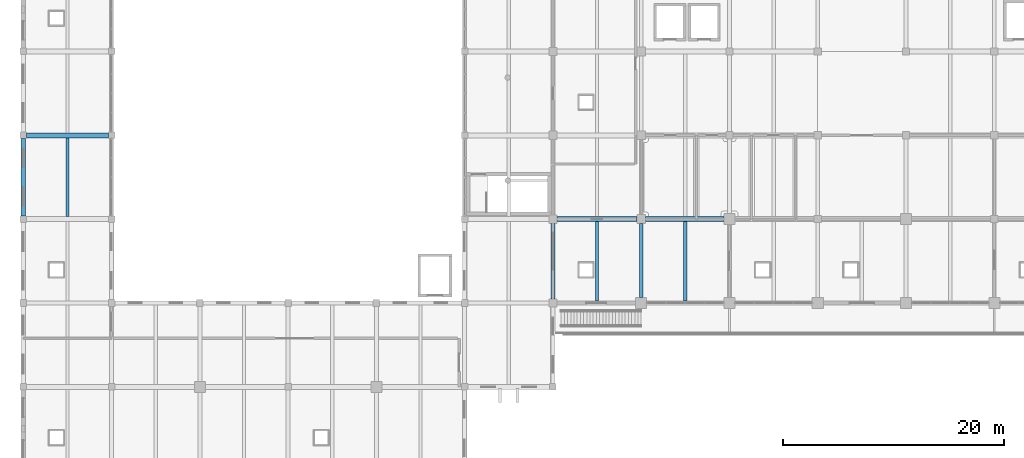
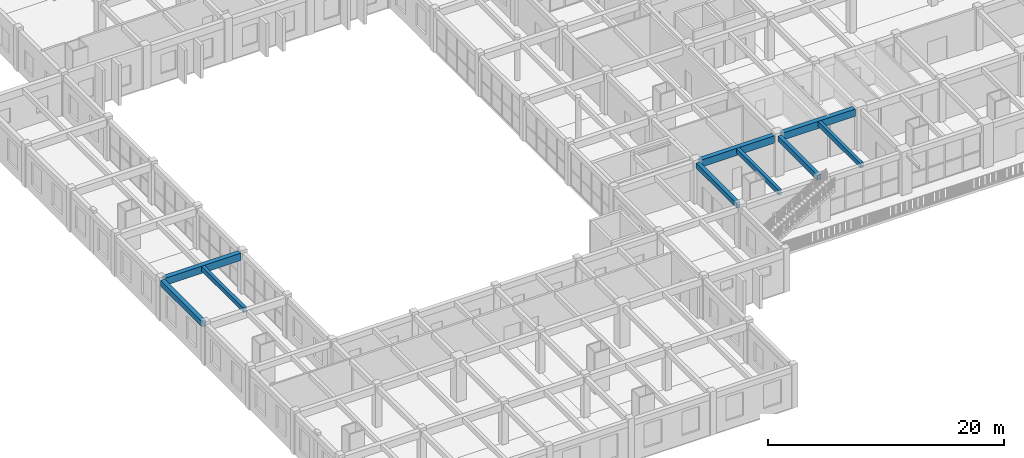
# One storey, part 9 of 79: 9 beams.
"""IFC4 building model written with IfcOpenShell, lengths in metres."""

from ifc_helpers import new_model, si_unit, direction, frame, origin, origin_2d, place, context, subcontext, project, spatial, rectangle, extrude, material, material_profile, profile_set, type_object, element, save


model = new_model("IFC4")

# Units and contexts
model_context = context("Model", 3, precision=1e-05, world=origin(), true_north=direction((0.0, 1.0)))
body_context = subcontext(model_context, "Body", "Model", "MODEL_VIEW")
ifc_project = project(units=[si_unit("LENGTHUNIT", "METRE"), si_unit("AREAUNIT", "SQUARE_METRE"), si_unit("VOLUMEUNIT", "CUBIC_METRE"), si_unit("PLANEANGLEUNIT", "RADIAN"), si_unit("MASSUNIT", "GRAM", prefix="KILO")], contexts=[model_context])

# Site, building, storey
site_placement = place(None, origin())
site = spatial("IfcSite", under=ifc_project, at=site_placement, CompositionType="ELEMENT")
building_placement = place(site_placement, origin())
building = spatial("IfcBuilding", under=site, at=building_placement, Name="Zantavel Square City Hall", CompositionType="ELEMENT")
storey_placement = place(building_placement, frame((0.0, 0.0, 10.199951171875)))
storey = spatial("IfcBuildingStorey", under=building, at=storey_placement, Name="L03", CompositionType="ELEMENT", Elevation=10.199951171875)

# Beams
ifc_material = material(Name="Concrete C35/45", Category="concrete")
ifc_material_profile_1 = material_profile(ifc_material, rectangle(XDim=0.300048828125, YDim=0.5, at=origin_2d()), Name="RC 300x500")
ifc_profile_set_1 = profile_set([ifc_material_profile_1], Name="Concrete C35/45")
beam_type_1 = type_object("IfcBeamType", Name="Floor Joist RC 300x500 C35/45", PredefinedType="JOIST", material=ifc_profile_set_1)
beam_1_placement = place(storey_placement, frame((12.0, 38.22509765625, 3.969970703125), z_axis=(0.0, 1.0, 0.0), x_axis=(-1.0, 0.0, 0.0)))
element("IfcBeam", 1, at=beam_1_placement, inside=storey, type_object=beam_type_1, Name="L03 Floor Joist JST-L03-0120-0380", PredefinedType="JOIST", context=body_context, shape_type="SweptSolid", body=[
    extrude(rectangle(XDim=0.300048828125, YDim=0.5, at=origin_2d()), origin(), (0.0, 0.0, 1.0), 7.14990234375),
])
for number, where, z_axis, x_axis, name in (
    (2, (60.0, 30.60009765625, 3.969970703125), (0.0, 1.0, 0.0), (-1.0, 0.0, 0.0), "L03 Floor Joist JST-L03-0600-0304"),
    (3, (68.0, 30.60009765625, 3.969970703125), (0.0, 1.0, 0.0), (-1.0, 0.0, 0.0), "L03 Floor Joist JST-L03-0680-0304"),
):
    element("IfcBeam", number, at=place(storey_placement, frame(where, z_axis=z_axis, x_axis=x_axis)), inside=storey, type_object=beam_type_1, Name=name, PredefinedType="JOIST", context=body_context, shape_type="SweptSolid", body=[
        extrude(rectangle(XDim=0.300048828125, YDim=0.5, at=origin_2d()), origin(), (0.0, 0.0, 1.0), 7.1748046875),
    ])
ifc_material_profile_2 = material_profile(ifc_material, rectangle(XDim=0.39990234375, YDim=0.60009765625, at=origin_2d()), Name="RC 400x600")
ifc_profile_set_2 = profile_set([ifc_material_profile_2], Name="Concrete C35/45")
beam_type_2 = type_object("IfcBeamType", Name="Perimeter Spandrel RC 400x600 C35/45", PredefinedType="SPANDREL", material=ifc_profile_set_2)
beam_2_placement = place(storey_placement, frame((8.0, 38.300048828125, 3.920166015625), z_axis=(0.0, 1.0, 0.0), x_axis=(-1.0, 0.0, 0.0)))
element("IfcBeam", 4, at=beam_2_placement, inside=storey, type_object=beam_type_2, Name="L03 Beam BMY-L03-0080-0380", PredefinedType="SPANDREL", context=body_context, shape_type="SweptSolid", body=[
    extrude(rectangle(XDim=0.39990234375, YDim=0.60009765625, at=origin_2d()), origin(), (0.0, 0.0, 1.0), 7.0),
])
ifc_material_profile_3 = material_profile(ifc_material, rectangle(XDim=0.449951171875, YDim=0.75, at=origin_2d()), Name="RC 450x750")
ifc_profile_set_3 = profile_set([ifc_material_profile_3], Name="Concrete C35/45")
beam_type_3 = type_object("IfcBeamType", Name="Primary Girder RC 450x750 C35/45", PredefinedType="BEAM", material=ifc_profile_set_3)
beam_3_placement = place(storey_placement, frame((8.300048828125, 45.60009765625, 3.844970703125), z_axis=(1.0, 0.0, 0.0), x_axis=(0.0, 1.0, 0.0)))
element("IfcBeam", 5, at=beam_3_placement, inside=storey, type_object=beam_type_3, Name="L03 Girder BMX-L03-0080-0456", PredefinedType="BEAM", context=body_context, shape_type="SweptSolid", body=[
    extrude(rectangle(XDim=0.449951171875, YDim=0.75, at=origin_2d()), origin(), (0.0, 0.0, 1.0), 7.39990234375),
])
beam_4_placement = place(storey_placement, frame((56.375, 38.0, 3.844970703125), z_axis=(1.0, 0.0, 0.0), x_axis=(0.0, 1.0, 0.0)))
element("IfcBeam", 6, at=beam_4_placement, inside=storey, type_object=beam_type_3, Name="L03 Girder BMX-L03-0560-0380", PredefinedType="BEAM", context=body_context, shape_type="SweptSolid", body=[
    extrude(rectangle(XDim=0.449951171875, YDim=0.75, at=origin_2d()), origin(), (0.0, 0.0, 1.0), 7.22509765625),
])
beam_5_placement = place(storey_placement, frame((64.39990234375, 38.0, 3.844970703125), z_axis=(1.0, 0.0, 0.0), x_axis=(0.0, 1.0, 0.0)))
element("IfcBeam", 7, at=beam_5_placement, inside=storey, type_object=beam_type_3, Name="L03 Girder BMX-L03-0640-0380", PredefinedType="BEAM", context=body_context, shape_type="SweptSolid", body=[
    extrude(rectangle(XDim=0.449951171875, YDim=0.75, at=origin_2d()), origin(), (0.0, 0.0, 1.0), 7.10009765625),
])
ifc_material_profile_4 = material_profile(ifc_material, rectangle(XDim=0.35009765625, YDim=0.550048828125, at=origin_2d()), Name="RC 350x550")
ifc_profile_set_4 = profile_set([ifc_material_profile_4], Name="Concrete C35/45")
beam_type_4 = type_object("IfcBeamType", Name="Secondary Beam RC 350x550 C35/45", PredefinedType="BEAM", material=ifc_profile_set_4)
beam_6_placement = place(storey_placement, frame((56.0, 30.77490234375, 3.945068359375), z_axis=(0.0, 1.0, 0.0), x_axis=(-1.0, 0.0, 0.0)))
element("IfcBeam", 8, at=beam_6_placement, inside=storey, type_object=beam_type_4, Name="L03 Beam BMY-L03-0560-0304", PredefinedType="BEAM", context=body_context, shape_type="SweptSolid", body=[
    extrude(rectangle(XDim=0.35009765625, YDim=0.550048828125, at=origin_2d()), origin(), (0.0, 0.0, 1.0), 6.85009765625),
])
beam_7_placement = place(storey_placement, frame((64.0, 30.89990234375, 3.945068359375), z_axis=(0.0, 1.0, 0.0), x_axis=(-1.0, 0.0, 0.0)))
element("IfcBeam", 9, at=beam_7_placement, inside=storey, type_object=beam_type_4, Name="L03 Beam BMY-L03-0640-0304", PredefinedType="BEAM", context=body_context, shape_type="SweptSolid", body=[
    extrude(rectangle(XDim=0.35009765625, YDim=0.550048828125, at=origin_2d()), origin(), (0.0, 0.0, 1.0), 6.7001953125),
])

save(model, "model.ifc")
